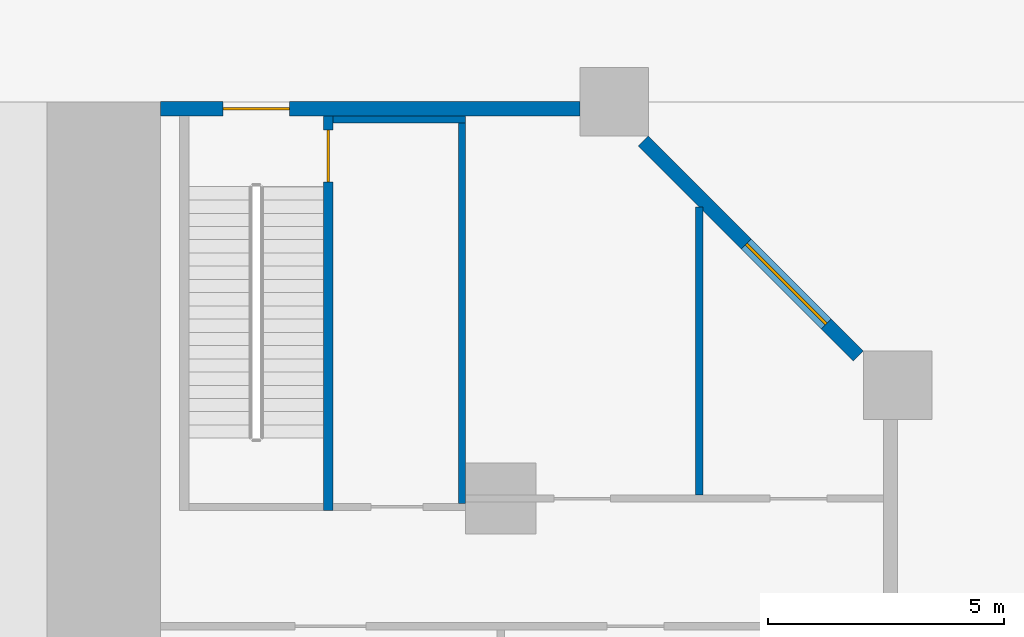
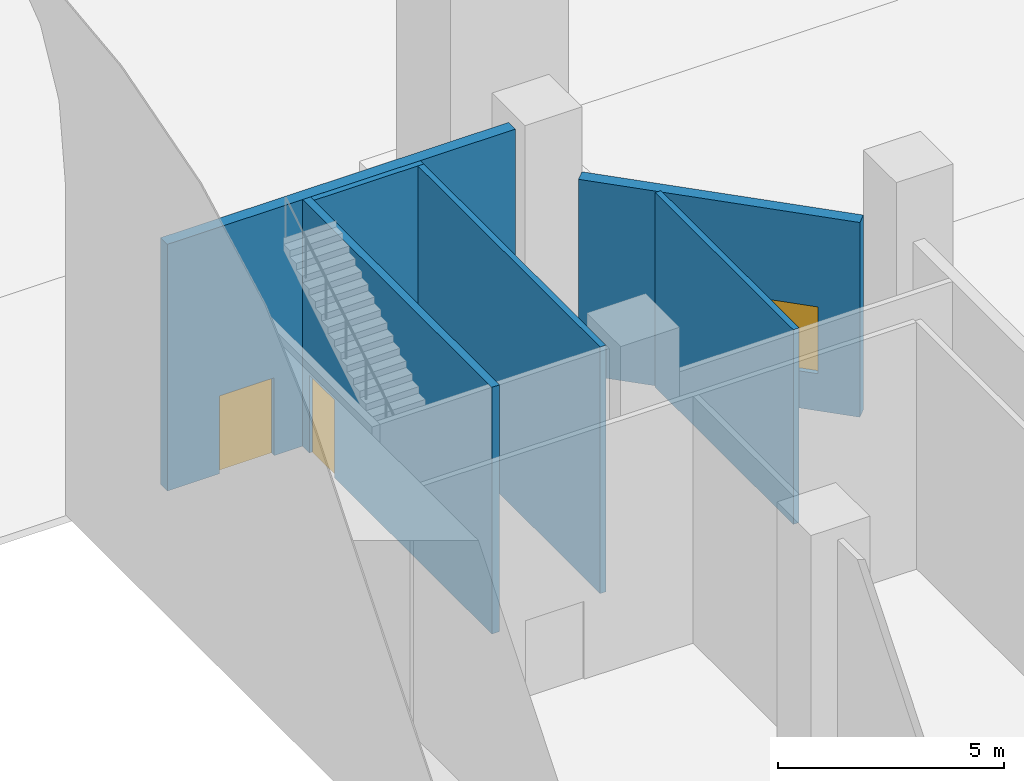
# One storey, part 22 of 32: 6 walls, 2 doors, 1 window, 3 openings.
"""IFC4 building model written with IfcOpenShell, lengths in metres."""

from ifc_helpers import new_model, si_unit, direction, frame, frame_2d, origin, place, context, subcontext, project, spatial, rectangle, extrude, material, layer, layer_set, type_object, element, fill, save


model = new_model("IFC4")

# Units and contexts
model_context = context("Model", 3, precision=1e-05, world=origin(), true_north=direction((0.0, 1.0)))
body_context = subcontext(model_context, "Body", "Model", "MODEL_VIEW")
ifc_project = project(units=[si_unit("LENGTHUNIT", "METRE"), si_unit("AREAUNIT", "SQUARE_METRE"), si_unit("VOLUMEUNIT", "CUBIC_METRE"), si_unit("PLANEANGLEUNIT", "RADIAN"), si_unit("MASSUNIT", "GRAM", prefix="KILO")], contexts=[model_context])

# Site, building, storey
site_placement = place(None, origin())
site = spatial("IfcSite", under=ifc_project, at=site_placement, CompositionType="ELEMENT")
building_placement = place(site_placement, origin())
building = spatial("IfcBuilding", under=site, at=building_placement, Name="Kawkab Arch Medical Tower", CompositionType="ELEMENT")
storey_placement = place(building_placement, origin())
storey = spatial("IfcBuildingStorey", under=building, at=storey_placement, Name="L01", CompositionType="ELEMENT", Elevation=0.0)

# Walls
ifc_material_1 = material(Name="Gypsum board on steel studs", Category="steel")
ifc_layer_1 = layer(ifc_material_1, 0.14990234375)
ifc_layer_set_1 = layer_set([ifc_layer_1], Name="Gypsum board on steel studs")
wall_type_1 = type_object("IfcWallType", Name="Core room partition 150", PredefinedType="PARTITIONING", material=ifc_layer_set_1)
wall_1_placement = place(storey_placement, frame((80.449951171875, -0.375, 0.0), z_axis=(0.0, 0.0, 1.0), x_axis=(1.0, 0.0, 0.0)))
element("IfcWall", 1, at=wall_1_placement, inside=storey, type_object=wall_type_1, Name="L01 core room partition", PredefinedType="PARTITIONING", context=body_context, shape_type="SweptSolid", body=[
    extrude(rectangle(XDim=2.800048828125, YDim=0.14990234375, at=frame_2d((1.39990234375, 0.0))), origin(), (0.0, 0.0, 1.0), 6.64990234375),
])
wall_2_placement = place(storey_placement, frame((83.175048828125, -8.5, 0.0), z_axis=(0.0, 0.0, 1.0), x_axis=(0.0, 1.0, 0.0)))
element("IfcWall", 2, at=wall_2_placement, inside=storey, type_object=wall_type_1, Name="L01 core room partition", PredefinedType="PARTITIONING", context=body_context, shape_type="SweptSolid", body=[
    extrude(rectangle(XDim=8.050048828125, YDim=0.14990234375, at=frame_2d((4.02490234375, 0.0))), origin(), (0.0, 0.0, 1.0), 6.64990234375),
])
ifc_material_2 = material(Name="Gypsum board partition on steel studs, mineral wool", Category="steel")
ifc_layer_2 = layer(ifc_material_2, 0.14990234375)
ifc_layer_set_2 = layer_set([ifc_layer_2], Name="Gypsum board partition on steel studs, mineral wool")
wall_type_2 = type_object("IfcWallType", Name="Partition 150", PredefinedType="PARTITIONING", material=ifc_layer_set_2)
wall_3_placement = place(storey_placement, frame((88.199951171875, -8.324951171875, 0.0), z_axis=(0.0, 0.0, 1.0), x_axis=(0.0, 1.0, 0.0)))
element("IfcWall", 3, at=wall_3_placement, inside=storey, type_object=wall_type_2, Name="Partition 150 w070", PredefinedType="PARTITIONING", context=body_context, shape_type="SweptSolid", body=[
    extrude(rectangle(XDim=6.100830078125, YDim=0.14990234375, at=frame_2d((3.05029296875, 0.0))), origin(), (0.0, 0.0, 1.0), 5.25),
])

# Wall, opening, window
ifc_material_3 = material(Name="Bronze clad insulated wall panel")
ifc_layer_3 = layer(ifc_material_3, 0.300048828125)
ifc_layer_set_3 = layer_set([ifc_layer_3], Name="Bronze clad insulated wall panel")
wall_type_3 = type_object("IfcWallType", Name="Podium external wall 300", PredefinedType="SOLIDWALL", material=ifc_layer_set_3)
wall_4_placement = place(storey_placement, frame((91.56884765625, -5.381103515625, 0.0), z_axis=(0.0, 0.0, 1.0), x_axis=(-0.707106781187, 0.707106781187, 0.0)))
wall_4 = element("IfcWall", 4, at=wall_4_placement, inside=storey, type_object=wall_type_3, Name="External wall L01 R16.1", PredefinedType="SOLIDWALL", context=body_context, shape_type="SweptSolid", body=[
    extrude(rectangle(XDim=6.434814453125, YDim=0.300048828125, at=frame_2d((3.21728515625, 0.0))), origin(), (0.0, 0.0, 1.0), 5.25),
])
opening_1_placement = place(wall_4_placement, frame((0.957275390625, 0.0, 1.0)))
opening_1 = element("IfcOpeningElement", 5, at=opening_1_placement, cuts=wall_4, Name="Opening PWN240-18-S10", PredefinedType="OPENING", context=body_context, shape_type="SweptSolid", body=[
    extrude(rectangle(XDim=2.39990234375, YDim=1.800048828125, at=frame_2d((1.199951171875, 0.89990234375))), frame((0.0, 0.159912109375, 0.0), z_axis=(0.0, -1.0, 0.0), x_axis=(1.0, 0.0, 0.0)), (0.0, 0.0, 1.0), 0.320068359375),
])
ifc_material_4 = material(Name="Bronze anodised aluminium louvred window", Category="aluminium")
window_type = type_object("IfcWindowType", Name="Podium window 2400 x 1800 sill 1000", PartitioningType="DOUBLE_PANEL_VERTICAL", PredefinedType="WINDOW", material=ifc_material_4)
window_placement = place(opening_1_placement, origin())
window = element("IfcWindow", 6, at=window_placement, inside=storey, type_object=window_type, Name="Window L01 R16.1.1", OverallHeight=1.800048828125, OverallWidth=2.39990234375, PartitioningType="SINGLE_PANEL", PredefinedType="WINDOW", context=body_context, shape_type="SweptSolid", body=[
    extrude(rectangle(XDim=2.39990234375, YDim=1.800048828125, at=frame_2d((1.199951171875, 0.89990234375))), frame((0.0, 0.030029296875, 0.0), z_axis=(0.0, -1.0, 0.0), x_axis=(1.0, 0.0, 0.0)), (0.0, 0.0, 1.0), 0.06005859375),
])
fill(opening_1, window)

# Wall, opening, door
wall_5_placement = place(storey_placement, frame((85.675048828125, -0.14990234375, 0.0), z_axis=(0.0, 0.0, 1.0), x_axis=(-1.0, 0.0, 0.0)))
wall_5 = element("IfcWall", 7, at=wall_5_placement, inside=storey, type_object=wall_type_3, Name="External wall L01 R17.1", PredefinedType="SOLIDWALL", context=body_context, shape_type="SweptSolid", body=[
    extrude(rectangle(XDim=8.875, YDim=0.300048828125, at=frame_2d((4.4375, 0.0))), origin(), (0.0, 0.0, 1.0), 6.64990234375),
])
opening_2_placement = place(wall_5_placement, frame((6.14990234375, 0.0, 0.0)))
opening_2 = element("IfcOpeningElement", 8, at=opening_2_placement, cuts=wall_5, Name="Opening P01-514", PredefinedType="OPENING", context=body_context, shape_type="SweptSolid", body=[
    extrude(rectangle(XDim=1.39990234375, YDim=2.10009765625, at=frame_2d((0.699951171875, 1.050048828125))), frame((0.0, 0.159912109375, 0.0), z_axis=(0.0, -1.0, 0.0), x_axis=(1.0, 0.0, 0.0)), (0.0, 0.0, 1.0), 0.320068359375),
])
ifc_material_5 = material(Name="Insulated steel door", Category="steel")
door_type_1 = type_object("IfcDoorType", Name="Stair discharge door 1400 x 2100", OperationType="DOUBLE_DOOR_SINGLE_SWING", PredefinedType="DOOR", material=ifc_material_5)
door_1_placement = place(opening_2_placement, frame((1.39990234375, 0.0, 0.0), z_axis=(0.0, 0.0, 1.0), x_axis=(-1.0, 0.0, 0.0)))
door_1 = element("IfcDoor", 9, at=door_1_placement, inside=storey, type_object=door_type_1, Name="Exit stair ST7 discharge", OperationType="DOUBLE_DOOR_SINGLE_SWING", OverallHeight=2.10009765625, OverallWidth=1.39990234375, PredefinedType="DOOR", context=body_context, shape_type="SweptSolid", body=[
    extrude(rectangle(XDim=1.39990234375, YDim=2.10009765625, at=frame_2d((0.699951171875, 1.050048828125))), frame((0.0, 0.02490234375, 0.0), z_axis=(0.0, -1.0, 0.0), x_axis=(1.0, 0.0, 0.0)), (0.0, 0.0, 1.0), 0.050048828125),
])
fill(opening_2, door_1)

ifc_material_6 = material(Name="Concrete C50/60", Category="concrete")
ifc_layer_4 = layer(ifc_material_6, 0.199951171875)
ifc_layer_set_4 = layer_set([ifc_layer_4], Name="Concrete C50/60")
wall_type_4 = type_object("IfcWallType", Name="Stair enclosure wall 200 C50/60", PredefinedType="SHEAR", material=ifc_layer_set_4)
wall_6_placement = place(storey_placement, frame((80.35009765625, -8.64990234375, 0.0), z_axis=(0.0, 0.0, 1.0), x_axis=(0.0, 1.0, 0.0)))
wall_6 = element("IfcWall", 10, at=wall_6_placement, inside=storey, type_object=wall_type_4, Name="L01 stair enclosure wall", PredefinedType="SHEAR", context=body_context, shape_type="SweptSolid", body=[
    extrude(rectangle(XDim=8.349853515625, YDim=0.199951171875, at=frame_2d((4.1748046875, 0.0))), origin(), (0.0, 0.0, 1.0), 6.64990234375),
])
opening_3_placement = place(wall_6_placement, frame((6.949951171875, 0.0, 0.0)))
opening_3 = element("IfcOpeningElement", 11, at=opening_3_placement, cuts=wall_6, Name="Opening SD", PredefinedType="OPENING", context=body_context, shape_type="SweptSolid", body=[
    extrude(rectangle(XDim=1.10009765625, YDim=2.10009765625, at=frame_2d((0.550048828125, 1.050048828125))), frame((0.0, 0.10986328125, 0.0), z_axis=(0.0, -1.0, 0.0), x_axis=(1.0, 0.0, 0.0)), (0.0, 0.0, 1.0), 0.219970703125),
])
ifc_material_7 = material(Name="Hollow metal fire door leaf")
door_type_2 = type_object("IfcDoorType", Name="Exit stair door 1100", OperationType="SINGLE_SWING_LEFT", PredefinedType="DOOR", material=ifc_material_7)
door_2_placement = place(opening_3_placement, origin())
door_2 = element("IfcDoor", 12, at=door_2_placement, inside=storey, type_object=door_type_2, Name="L01 Exit stair ST7 door", OperationType="SINGLE_SWING_LEFT", OverallHeight=2.10009765625, OverallWidth=1.10009765625, PredefinedType="DOOR", context=body_context, shape_type="SweptSolid", body=[
    extrude(rectangle(XDim=1.10009765625, YDim=2.10009765625, at=frame_2d((0.550048828125, 1.050048828125))), frame((0.0, 0.02490234375, 0.0), z_axis=(0.0, -1.0, 0.0), x_axis=(1.0, 0.0, 0.0)), (0.0, 0.0, 1.0), 0.050048828125),
])
fill(opening_3, door_2)

save(model, "model.ifc")
